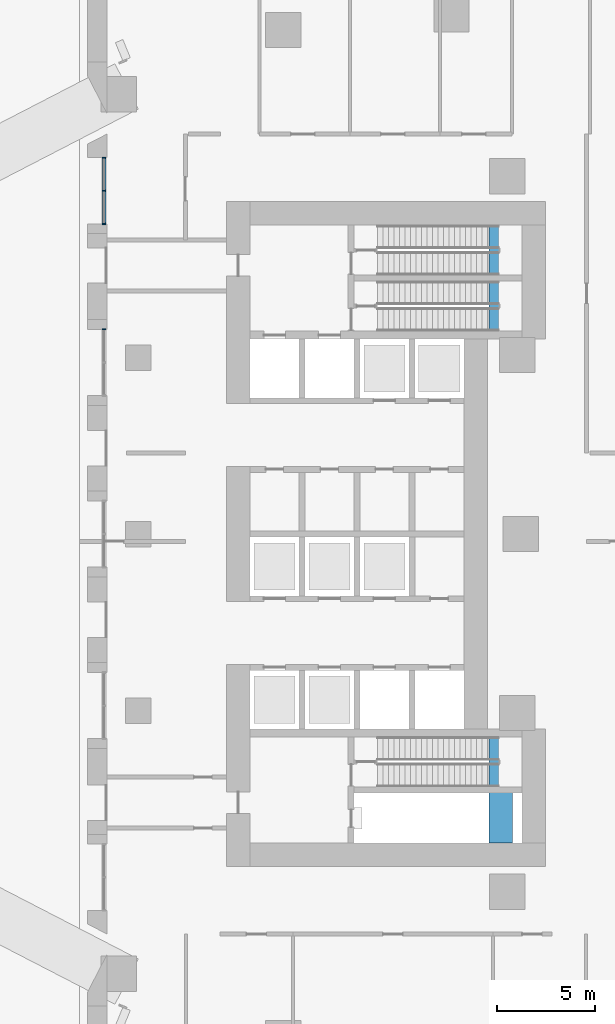
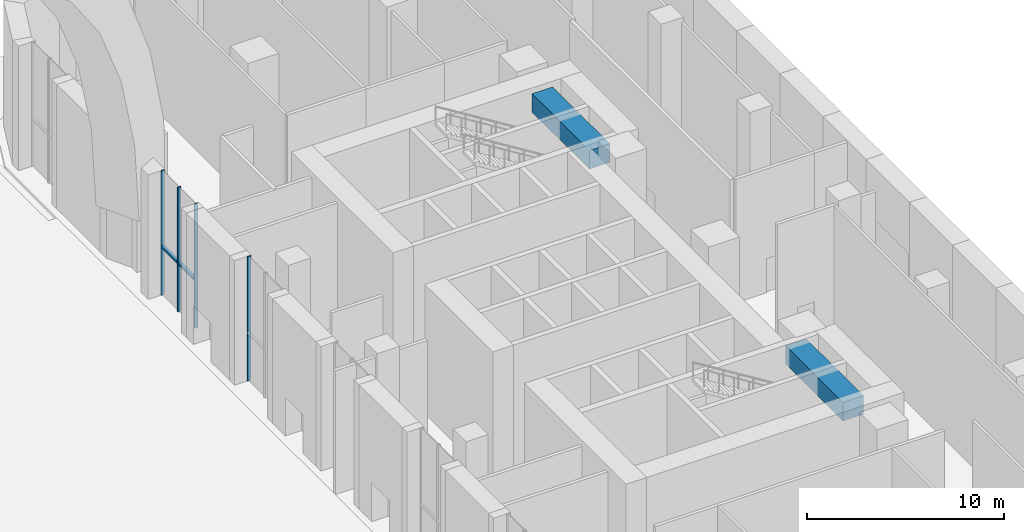
# One storey, part 6 of 22: 6 members, 2 beams, 2 elements without a shape of their own.
"""IFC4 building model written with IfcOpenShell, lengths in metres."""

from ifc_helpers import new_model, si_unit, direction, frame, origin, origin_2d, place, context, subcontext, project, spatial, rectangle, extrude, material, layer, layer_set, material_profile, profile_set, type_object, element, aggregate, save


model = new_model("IFC4")

# Units and contexts
model_context = context("Model", 3, precision=1e-05, world=origin(), true_north=direction((0.0, 1.0)))
body_context = subcontext(model_context, "Body", "Model", "MODEL_VIEW")
ifc_project = project(units=[si_unit("LENGTHUNIT", "METRE"), si_unit("AREAUNIT", "SQUARE_METRE"), si_unit("VOLUMEUNIT", "CUBIC_METRE"), si_unit("PLANEANGLEUNIT", "RADIAN"), si_unit("MASSUNIT", "GRAM", prefix="KILO")], contexts=[model_context])

# Site, building, storey
site_placement = place(None, origin())
site = spatial("IfcSite", under=ifc_project, at=site_placement, CompositionType="ELEMENT")
building_placement = place(site_placement, origin())
building = spatial("IfcBuilding", under=site, at=building_placement, Name="Ostrand Prow Hotel Tower", CompositionType="ELEMENT")
storey_placement = place(building_placement, origin())
storey = spatial("IfcBuildingStorey", under=building, at=storey_placement, Name="L00", CompositionType="ELEMENT", Elevation=0.0)

# Beams
ifc_material_1 = material(Name="Concrete C80/95", Category="concrete")
ifc_material_profile_1 = material_profile(ifc_material_1, rectangle(XDim=1.199951171875, YDim=1.14990234375, at=origin_2d()), Name="RC 1200x1150")
ifc_profile_set_1 = profile_set([ifc_material_profile_1], Name="Concrete C80/95")
beam_type = type_object("IfcBeamType", Name="Core transfer beam 1200x1150 C80/95", PredefinedType="BEAM", material=ifc_profile_set_1)
for number, where, z_axis, x_axis, name in (
    (1, (63.47998046875, 9.949951171875, 7.074951171875), (0.0, 1.0, 0.0), (-1.0, 0.0, 0.0), "Core transfer beam CW-E-N"),
    (2, (63.47998046875, -15.75, 7.074951171875), (0.0, 1.0, 0.0), (-1.0, 0.0, 0.0), "Core transfer beam CW-E-S"),
):
    element("IfcBeam", number, at=place(storey_placement, frame(where, z_axis=z_axis, x_axis=x_axis)), inside=storey, type_object=beam_type, Name=name, PredefinedType="BEAM", context=body_context, shape_type="SweptSolid", body=[
        extrude(rectangle(XDim=1.199951171875, YDim=1.14990234375, at=origin_2d()), origin(), (0.0, 0.0, 1.0), 5.800048828125),
    ])

# Curtain wall, members
ifc_material_2 = material(Name="Insulated glass in bronze anodised frame", Category="glass")
ifc_layer = layer(ifc_material_2, 0.199951171875)
ifc_layer_set = layer_set([ifc_layer], Name="Insulated glass in bronze anodised frame")
curtain_wall_type = type_object("IfcCurtainWallType", Name="Podium storefront curtain wall, clear glass in bronze frame", PredefinedType="NOTDEFINED", material=ifc_layer_set)
curtain_wall_1_placement = place(storey_placement, origin())
curtain_wall_1 = element("IfcCurtainWall", 3, at=curtain_wall_1_placement, inside=storey, type_object=curtain_wall_type, Name="CW8 run CWS", PredefinedType="NOTDEFINED")
ifc_material_3 = material(Name="Bronze anodised aluminium", Category="aluminium")
ifc_material_profile_2 = material_profile(ifc_material_3, rectangle(XDim=0.199951171875, YDim=0.06005859375, at=origin_2d()), Name="Mullion 60x200 bronze anodised aluminium")
ifc_profile_set_2 = profile_set([ifc_material_profile_2], Name="Bronze anodised aluminium")
member_type_1 = type_object("IfcMemberType", Name="Mullion 60x200 bronze anodised aluminium", PredefinedType="MULLION", material=ifc_profile_set_2)
member_1_placement = place(storey_placement, frame((43.25, 19.192626953125, 0.0), z_axis=(0.0, 0.0, 1.0), x_axis=(1.0, 0.0, 0.0)))
member_1 = element("IfcMember", 4, at=member_1_placement, type_object=member_type_1, Name="CW8 mullion 1", PredefinedType="MULLION", context=body_context, shape_type="SweptSolid", body=[
    extrude(rectangle(XDim=0.199951171875, YDim=0.06005859375, at=origin_2d()), origin(), (0.0, 0.0, 1.0), 7.699951171875),
])
member_2_placement = place(storey_placement, frame((43.25, 17.50439453125, 0.0), z_axis=(0.0, 0.0, 1.0), x_axis=(1.0, 0.0, 0.0)))
member_2 = element("IfcMember", 5, at=member_2_placement, type_object=member_type_1, Name="CW8 mullion 2", PredefinedType="MULLION", context=body_context, shape_type="SweptSolid", body=[
    extrude(rectangle(XDim=0.199951171875, YDim=0.06005859375, at=origin_2d()), origin(), (0.0, 0.0, 1.0), 7.699951171875),
])
member_3_placement = place(storey_placement, frame((43.25, 15.81640625, 0.0), z_axis=(0.0, 0.0, 1.0), x_axis=(1.0, 0.0, 0.0)))
member_3 = element("IfcMember", 6, at=member_3_placement, type_object=member_type_1, Name="CW8 mullion 3", PredefinedType="MULLION", context=body_context, shape_type="SweptSolid", body=[
    extrude(rectangle(XDim=0.199951171875, YDim=0.06005859375, at=origin_2d()), origin(), (0.0, 0.0, 1.0), 7.699951171875),
])

# Curtain wall, member
curtain_wall_2_placement = place(storey_placement, origin())
curtain_wall_2 = element("IfcCurtainWall", 7, at=curtain_wall_2_placement, inside=storey, type_object=curtain_wall_type, Name="CW8 run CWS", PredefinedType="NOTDEFINED")
member_4_placement = place(storey_placement, frame((43.25, 10.440185546875, 0.0), z_axis=(0.0, 0.0, 1.0), x_axis=(1.0, 0.0, 0.0)))
member_4 = element("IfcMember", 8, at=member_4_placement, type_object=member_type_1, Name="CW8 mullion 1", PredefinedType="MULLION", context=body_context, shape_type="SweptSolid", body=[
    extrude(rectangle(XDim=0.199951171875, YDim=0.06005859375, at=origin_2d()), origin(), (0.0, 0.0, 1.0), 7.699951171875),
])
aggregate(curtain_wall_2, [member_4])

# Member
ifc_material_4 = material(Name="Bronze anodised aluminium", Category="aluminium")
ifc_material_profile_3 = material_profile(ifc_material_4, rectangle(XDim=0.199951171875, YDim=0.1201171875, at=origin_2d()), Name="Transom 120x200 bronze anodised aluminium")
ifc_profile_set_3 = profile_set([ifc_material_profile_3], Name="Bronze anodised aluminium")
member_type_2 = type_object("IfcMemberType", Name="Transom 120x200 bronze anodised aluminium", PredefinedType="USERDEFINED", material=ifc_profile_set_3)
member_5_placement = place(storey_placement, frame((43.25, 19.16259765625, 3.0), z_axis=(0.0, -1.0, 0.0), x_axis=(1.0, 0.0, 0.0)))
member_5 = element("IfcMember", 9, at=member_5_placement, type_object=member_type_2, Name="CW8 transom 1.1", ObjectType="TRANSOM", PredefinedType="USERDEFINED", context=body_context, shape_type="SweptSolid", body=[
    extrude(rectangle(XDim=0.199951171875, YDim=0.1201171875, at=origin_2d()), origin(), (0.0, 0.0, 1.0), 1.628173828125),
])

member_6_placement = place(storey_placement, frame((43.25, 17.474609375, 3.0), z_axis=(0.0, -1.0, 0.0), x_axis=(1.0, 0.0, 0.0)))
member_6 = element("IfcMember", 10, at=member_6_placement, type_object=member_type_2, Name="CW8 transom 2.1", ObjectType="TRANSOM", PredefinedType="USERDEFINED", context=body_context, shape_type="SweptSolid", body=[
    extrude(rectangle(XDim=0.199951171875, YDim=0.1201171875, at=origin_2d()), origin(), (0.0, 0.0, 1.0), 1.628173828125),
])

aggregate(curtain_wall_1, [member_1, member_2, member_3, member_5, member_6])

save(model, "model.ifc")
